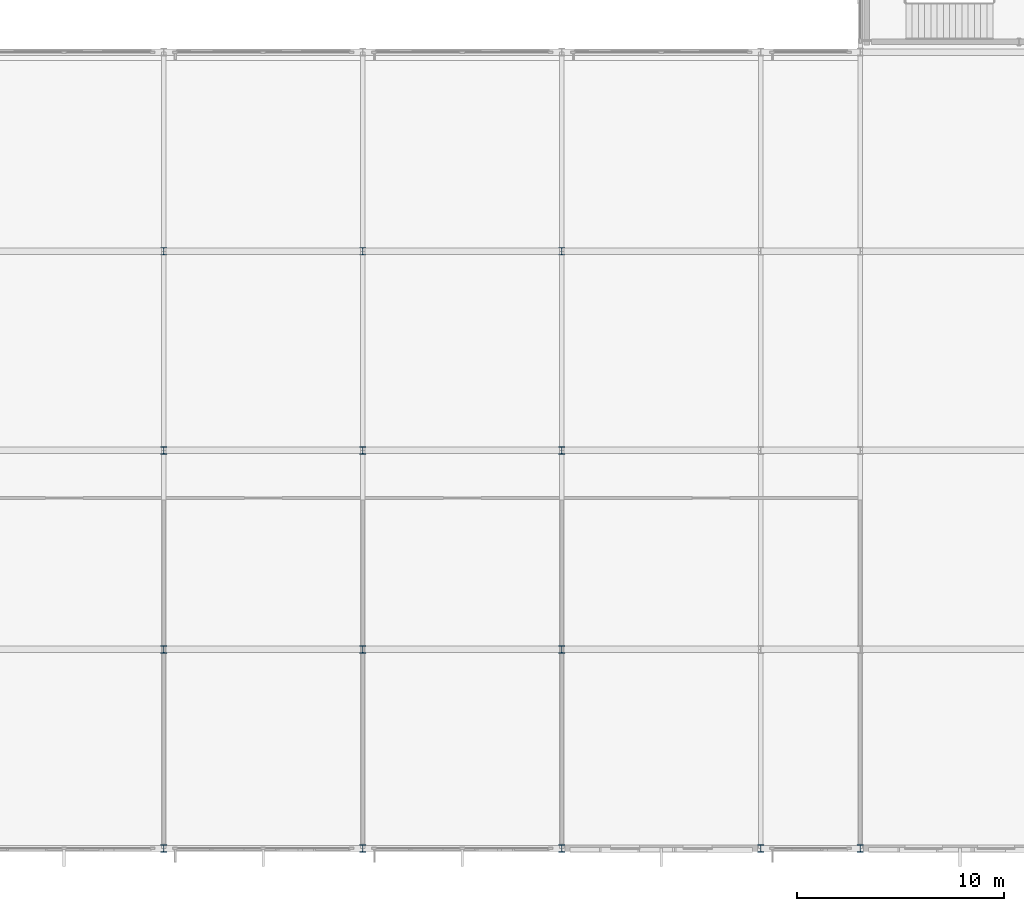
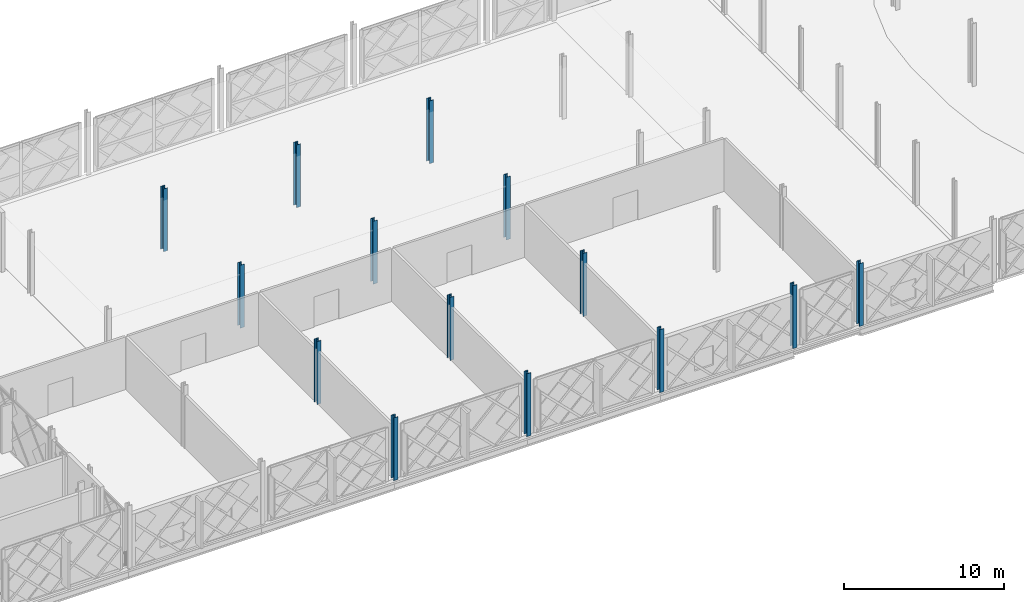
# One storey, part 3 of 77: 14 columns.
"""IFC4 building model written with IfcOpenShell, lengths in metres."""

from ifc_helpers import new_model, si_unit, direction, frame, origin, origin_2d, place, context, subcontext, project, spatial, i_section, extrude, material, material_profile, profile_set, type_object, element, save


model = new_model("IFC4")

# Units and contexts
model_context = context("Model", 3, precision=1e-05, world=origin(), true_north=direction((0.0, 1.0)))
body_context = subcontext(model_context, "Body", "Model", "MODEL_VIEW")
ifc_project = project(units=[si_unit("LENGTHUNIT", "METRE"), si_unit("AREAUNIT", "SQUARE_METRE"), si_unit("VOLUMEUNIT", "CUBIC_METRE"), si_unit("PLANEANGLEUNIT", "RADIAN"), si_unit("MASSUNIT", "GRAM", prefix="KILO")], contexts=[model_context])

# Site, building, storey
site_placement = place(None, origin())
site = spatial("IfcSite", under=ifc_project, at=site_placement, CompositionType="ELEMENT")
building_placement = place(site_placement, origin())
building = spatial("IfcBuilding", under=site, at=building_placement, Name="Zevrakil Square Congress Hotel", CompositionType="ELEMENT")
storey_placement = place(building_placement, frame((0.0, 0.0, 9.89990234375)))
storey = spatial("IfcBuildingStorey", under=building, at=storey_placement, Name="L03", CompositionType="ELEMENT", Elevation=9.89990234375)

# Columns
ifc_material = material(Name="Steel S355", Category="steel")
ifc_material_profile = material_profile(ifc_material, i_section(OverallWidth=0.300048828125, OverallDepth=0.360107421875, WebThickness=0.012451171875, FlangeThickness=0.0224609375, FilletRadius=0.027099609375, at=origin_2d()), Name="HEB 360")
ifc_profile_set = profile_set([ifc_material_profile], Name="Steel S355")
column_type = type_object("IfcColumnType", Name="COL-HEB360", PredefinedType="COLUMN", material=ifc_profile_set)
for number, where, z_axis, x_axis, name in (
    (1, (74.39990234375, 7.199951171875, 0.0), (0.0, 0.0, 1.0), (1.0, 0.0, 0.0), "L03 column C-114"),
    (2, (74.39990234375, 16.800048828125, 0.0), (0.0, 0.0, 1.0), (1.0, 0.0, 0.0), "L03 column C-115"),
    (3, (74.39990234375, 26.39990234375, 0.0), (0.0, 0.0, 1.0), (1.0, 0.0, 0.0), "L03 column C-116"),
    (4, (74.39990234375, 36.0, 0.0), (0.0, 0.0, 1.0), (1.0, 0.0, 0.0), "L03 column C-117"),
    (5, (84.0, 7.199951171875, 0.0), (0.0, 0.0, 1.0), (1.0, 0.0, 0.0), "L03 column C-126"),
    (6, (84.0, 16.800048828125, 0.0), (0.0, 0.0, 1.0), (1.0, 0.0, 0.0), "L03 column C-127"),
    (7, (84.0, 26.39990234375, 0.0), (0.0, 0.0, 1.0), (1.0, 0.0, 0.0), "L03 column C-128"),
    (8, (84.0, 36.0, 0.0), (0.0, 0.0, 1.0), (1.0, 0.0, 0.0), "L03 column C-129"),
    (9, (93.60009765625, 7.199951171875, 0.0), (0.0, 0.0, 1.0), (1.0, 0.0, 0.0), "L03 column C-138"),
    (10, (93.60009765625, 16.800048828125, 0.0), (0.0, 0.0, 1.0), (1.0, 0.0, 0.0), "L03 column C-139"),
    (11, (93.60009765625, 26.39990234375, 0.0), (0.0, 0.0, 1.0), (1.0, 0.0, 0.0), "L03 column C-140"),
    (12, (93.60009765625, 36.0, 0.0), (0.0, 0.0, 1.0), (1.0, 0.0, 0.0), "L03 column C-141"),
    (13, (103.199951171875, 7.199951171875, 0.0), (0.0, 0.0, 1.0), (1.0, 0.0, 0.0), "L03 column C-150"),
    (14, (108.0, 7.199951171875, 0.0), (0.0, 0.0, 1.0), (1.0, 0.0, 0.0), "L03 column C-164"),
):
    element("IfcColumn", number, at=place(storey_placement, frame(where, z_axis=z_axis, x_axis=x_axis)), inside=storey, type_object=column_type, Name=name, PredefinedType="COLUMN", context=body_context, shape_type="SweptSolid", body=[
        extrude(i_section(OverallWidth=0.300048828125, OverallDepth=0.360107421875, WebThickness=0.012451171875, FlangeThickness=0.0224609375, FilletRadius=0.027099609375, at=origin_2d()), origin(), (0.0, 0.0, 1.0), 4.800048828125),
    ])

save(model, "model.ifc")
